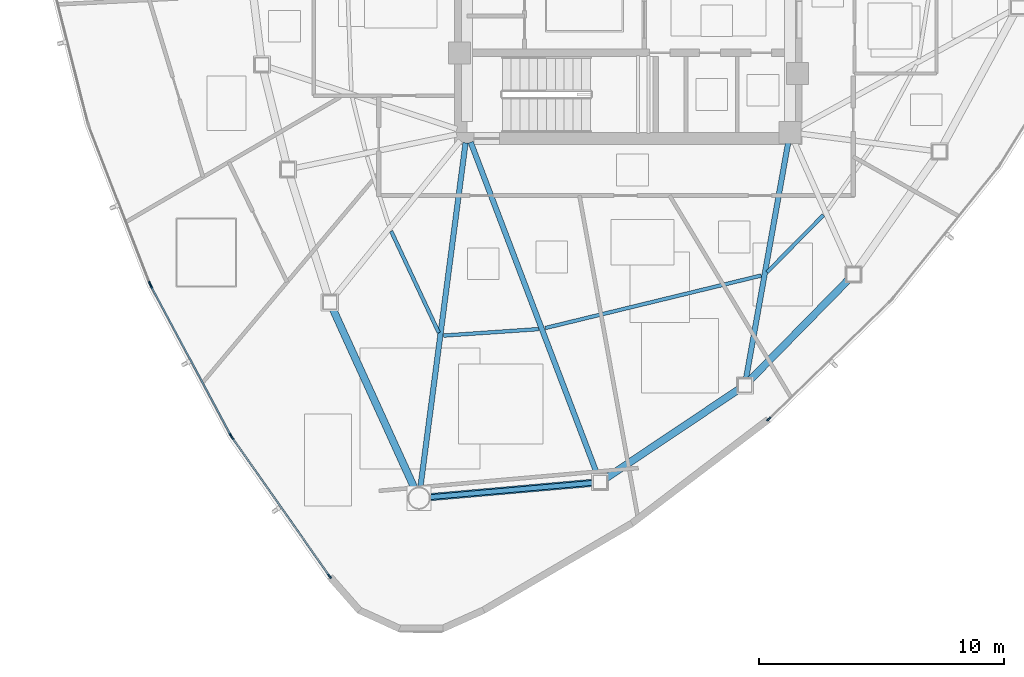
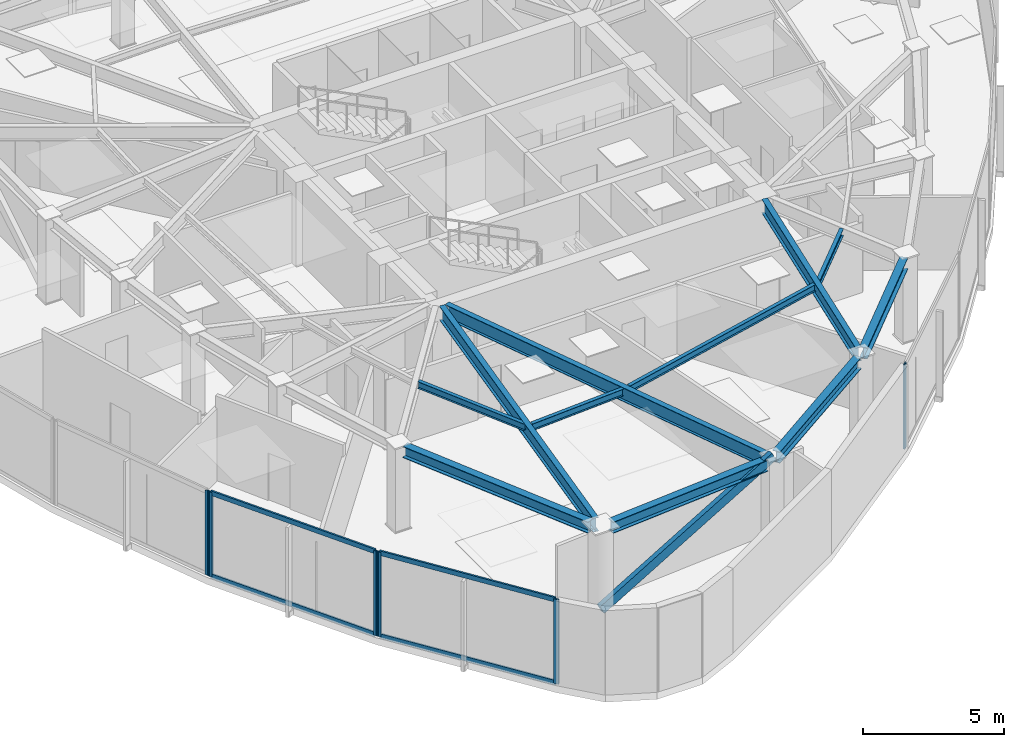
# One storey, part 2 of 13: 11 beams, 11 members, 4 elements without a shape of their own.
"""IFC4 building model written with IfcOpenShell, lengths in metres."""

from ifc_helpers import new_model, si_unit, direction, frame, origin, origin_2d, place, context, subcontext, project, spatial, hollow_rectangle, i_section, extrude, source, transform, mapped, material, layer, layer_set, material_profile, profile_set, type_object, type_shapes, element, aggregate, save


model = new_model("IFC4")

# Units and contexts
model_context = context("Model", 3, precision=1e-05, world=origin(), true_north=direction((0.0, 1.0)))
body_context = subcontext(model_context, "Body", "Model", "MODEL_VIEW")
ifc_project = project(units=[si_unit("LENGTHUNIT", "METRE"), si_unit("AREAUNIT", "SQUARE_METRE"), si_unit("VOLUMEUNIT", "CUBIC_METRE"), si_unit("PLANEANGLEUNIT", "RADIAN"), si_unit("MASSUNIT", "GRAM", prefix="KILO")], contexts=[model_context])

# Site, building, storey
site_placement = place(None, origin())
site = spatial("IfcSite", under=ifc_project, at=site_placement, CompositionType="ELEMENT")
building_placement = place(site_placement, origin())
building = spatial("IfcBuilding", under=site, at=building_placement, Name="Tavelor Broadcast Tower", CompositionType="ELEMENT")
storey_placement = place(building_placement, frame((0.0, 0.0, 241.89990234375)))
storey = spatial("IfcBuildingStorey", under=building, at=storey_placement, Name="L57", CompositionType="ELEMENT", Elevation=241.89990234375)

# Beams
ifc_material_1 = material(Name="Steel S355", Category="steel")
ifc_material_profile_1 = material_profile(ifc_material_1, i_section(OverallWidth=0.14990234375, OverallDepth=0.300048828125, WebThickness=0.007080078125, FlangeThickness=0.0107421875, at=origin_2d()), Name="IPE 300")
ifc_profile_set_1 = profile_set([ifc_material_profile_1], Name="Steel S355")
beam_type_1 = type_object("IfcBeamType", Name="Composite Floor Joist T5 IPE 300", PredefinedType="JOIST", material=ifc_profile_set_1)
beam_1_placement = place(storey_placement, frame((40.303466796875, 34.76123046875, 3.5), z_axis=(0.424747696097, -0.905311766553, 0.0), x_axis=(0.905311766553, 0.424747696097, 0.0)))
element("IfcBeam", 1, at=beam_1_placement, inside=storey, type_object=beam_type_1, Name="L57 Secondary Composite Floor Joist 06", PredefinedType="JOIST", context=body_context, shape_type="SweptSolid", body=[
    extrude(i_section(OverallWidth=0.14990234375, OverallDepth=0.300048828125, WebThickness=0.007080078125, FlangeThickness=0.0107421875, at=origin_2d()), origin(), (0.0, 0.0, 1.0), 4.583984375),
])
beam_2_placement = place(storey_placement, frame((42.44873046875, 30.49462890625, 3.5), z_axis=(0.997688348821, 0.067955563618, 0.0), x_axis=(-0.067955563618, 0.997688348821, 0.0)))
element("IfcBeam", 2, at=beam_2_placement, inside=storey, type_object=beam_type_1, Name="L57 Secondary Composite Floor Joist 07", PredefinedType="JOIST", context=body_context, shape_type="SweptSolid", body=[
    extrude(i_section(OverallWidth=0.14990234375, OverallDepth=0.300048828125, WebThickness=0.007080078125, FlangeThickness=0.0107421875, at=origin_2d()), origin(), (0.0, 0.0, 1.0), 3.880126953125),
])
beam_3_placement = place(storey_placement, frame((46.59423828125, 30.80078125, 3.5), z_axis=(0.971661934331, 0.236374883124, 0.0), x_axis=(-0.236374883124, 0.971661934331, 0.0)))
element("IfcBeam", 3, at=beam_3_placement, inside=storey, type_object=beam_type_1, Name="L57 Secondary Composite Floor Joist 08", PredefinedType="JOIST", context=body_context, shape_type="SweptSolid", body=[
    extrude(i_section(OverallWidth=0.14990234375, OverallDepth=0.300048828125, WebThickness=0.007080078125, FlangeThickness=0.0107421875, at=origin_2d()), origin(), (0.0, 0.0, 1.0), 9.089111328125),
])
beam_4_placement = place(storey_placement, frame((55.6591796875, 33.081298828125, 3.5), z_axis=(0.702295555333, 0.711885491465, 0.0), x_axis=(-0.711885491465, 0.702295555333, 0.0)))
element("IfcBeam", 4, at=beam_4_placement, inside=storey, type_object=beam_type_1, Name="L57 Secondary Composite Floor Joist 09", PredefinedType="JOIST", context=body_context, shape_type="SweptSolid", body=[
    extrude(i_section(OverallWidth=0.14990234375, OverallDepth=0.300048828125, WebThickness=0.007080078125, FlangeThickness=0.0107421875, at=origin_2d()), origin(), (0.0, 0.0, 1.0), 3.2841796875),
])
ifc_material_profile_2 = material_profile(ifc_material_1, i_section(OverallWidth=0.300048828125, OverallDepth=0.489990234375, WebThickness=0.011962890625, FlangeThickness=0.02294921875, at=origin_2d()), Name="HEA 500")
ifc_profile_set_2 = profile_set([ifc_material_profile_2], Name="Steel S355")
beam_type_2 = type_object("IfcBeamType", Name="Perimeter Spandrel Beam T5 HEA 500", PredefinedType="SPANDREL", material=ifc_profile_set_2)
beam_5_placement = place(storey_placement, frame((37.91650390625, 31.59130859375, 3.405029296875), z_axis=(0.414437010202, -0.910077999171, 0.0), x_axis=(0.910077999171, 0.414437010202, 0.0)))
element("IfcBeam", 5, at=beam_5_placement, inside=storey, type_object=beam_type_2, Name="L57 Framed-Tube Ring Spandrel 06", PredefinedType="SPANDREL", context=body_context, shape_type="SweptSolid", body=[
    extrude(i_section(OverallWidth=0.300048828125, OverallDepth=0.489990234375, WebThickness=0.011962890625, FlangeThickness=0.02294921875, at=origin_2d()), origin(), (0.0, 0.0, 1.0), 8.0634765625),
])
beam_6_placement = place(storey_placement, frame((41.877197265625, 23.89208984375, 3.405029296875), z_axis=(0.996152506101, 0.087636662361, 0.0), x_axis=(-0.087636662361, 0.996152506101, 0.0)))
element("IfcBeam", 6, at=beam_6_placement, inside=storey, type_object=beam_type_2, Name="L57 Framed-Tube Ring Spandrel 07", PredefinedType="SPANDREL", context=body_context, shape_type="SweptSolid", body=[
    extrude(i_section(OverallWidth=0.300048828125, OverallDepth=0.489990234375, WebThickness=0.011962890625, FlangeThickness=0.02294921875, at=origin_2d()), origin(), (0.0, 0.0, 1.0), 6.70556640625),
])
beam_7_placement = place(storey_placement, frame((49.083251953125, 24.665283203125, 3.405029296875), z_axis=(0.830979943124, 0.556302376523, 0.0), x_axis=(-0.556302376523, 0.830979943124, 0.0)))
element("IfcBeam", 7, at=beam_7_placement, inside=storey, type_object=beam_type_2, Name="L57 Framed-Tube Ring Spandrel 08", PredefinedType="SPANDREL", context=body_context, shape_type="SweptSolid", body=[
    extrude(i_section(OverallWidth=0.300048828125, OverallDepth=0.489990234375, WebThickness=0.011962890625, FlangeThickness=0.02294921875, at=origin_2d()), origin(), (0.0, 0.0, 1.0), 6.536376953125),
])
beam_8_placement = place(storey_placement, frame((54.955810546875, 28.667236328125, 3.405029296875), z_axis=(0.70018873327, 0.713957798334, 0.0), x_axis=(-0.713957798334, 0.70018873327, 0.0)))
element("IfcBeam", 8, at=beam_8_placement, inside=storey, type_object=beam_type_2, Name="L57 Framed-Tube Ring Spandrel 09", PredefinedType="SPANDREL", context=body_context, shape_type="SweptSolid", body=[
    extrude(i_section(OverallWidth=0.300048828125, OverallDepth=0.489990234375, WebThickness=0.011962890625, FlangeThickness=0.02294921875, at=origin_2d()), origin(), (0.0, 0.0, 1.0), 5.7626953125),
])

# Member
ifc_material_profile_3 = material_profile(ifc_material_1, hollow_rectangle(XDim=0.199951171875, YDim=0.39990234375, WallThickness=0.01611328125, at=origin_2d()), Name="RHS 400x200x16")
ifc_profile_set_3 = profile_set([ifc_material_profile_3], Name="Steel S355")
member_type_1 = type_object("IfcMemberType", Name="Perimeter Tube Brace T5 RHS 400x200x16", PredefinedType="BRACE", material=ifc_profile_set_3)
member_1_placement = place(storey_placement, frame((41.440185546875, 23.853759765625, 0.0), z_axis=(0.894143836839, 0.078634887979, 0.440821226162), x_axis=(-0.087606208465, 0.996155184817, 0.0)))
element("IfcMember", 9, at=member_1_placement, inside=storey, type_object=member_type_1, Name="L57 Corner Tube Diagonal Brace 2", PredefinedType="BRACE", context=body_context, shape_type="SweptSolid", body=[
    extrude(hollow_rectangle(XDim=0.199951171875, YDim=0.39990234375, WallThickness=0.01611328125, at=origin_2d()), origin(), (0.0, 0.0, 1.0), 8.2802734375),
])

# Beams
ifc_material_profile_4 = material_profile(ifc_material_1, i_section(OverallWidth=0.219970703125, OverallDepth=0.60009765625, WebThickness=0.011962890625, FlangeThickness=0.01904296875, at=origin_2d()), Name="IPE 600")
ifc_profile_set_4 = profile_set([ifc_material_profile_4], Name="Steel S355")
beam_type_3 = type_object("IfcBeamType", Name="Radial Floor Girder T5 IPE 600", PredefinedType="BEAM", material=ifc_profile_set_4)
beam_9_placement = place(storey_placement, frame((43.34375, 38.37158203125, 3.35009765625), z_axis=(-0.130000517012, -0.991513926063, 0.0), x_axis=(0.991513926063, -0.130000517012, 0.0)))
element("IfcBeam", 10, at=beam_9_placement, inside=storey, type_object=beam_type_3, Name="L57 Radial Primary Floor Girder 07", PredefinedType="BEAM", context=body_context, shape_type="SweptSolid", body=[
    extrude(i_section(OverallWidth=0.219970703125, OverallDepth=0.60009765625, WebThickness=0.011962890625, FlangeThickness=0.01904296875, at=origin_2d()), origin(), (0.0, 0.0, 1.0), 14.203369140625),
])
beam_10_placement = place(storey_placement, frame((43.5537109375, 38.396240234375, 3.35009765625), z_axis=(0.355898513414, -0.934524610778, 0.0), x_axis=(0.934524610778, 0.355898513414, 0.0)))
element("IfcBeam", 11, at=beam_10_placement, inside=storey, type_object=beam_type_3, Name="L57 Radial Primary Floor Girder 08", PredefinedType="BEAM", context=body_context, shape_type="SweptSolid", body=[
    extrude(i_section(OverallWidth=0.219970703125, OverallDepth=0.60009765625, WebThickness=0.011962890625, FlangeThickness=0.01904296875, at=origin_2d()), origin(), (0.0, 0.0, 1.0), 14.576416015625),
])
beam_11_placement = place(storey_placement, frame((56.524169921875, 38.374755859375, 3.35009765625), z_axis=(-0.175781136437, -0.984429272255, 0.0), x_axis=(0.984429272255, -0.175781136437, 0.0)))
element("IfcBeam", 12, at=beam_11_placement, inside=storey, type_object=beam_type_3, Name="L57 Radial Primary Floor Girder 09", PredefinedType="BEAM", context=body_context, shape_type="SweptSolid", body=[
    extrude(i_section(OverallWidth=0.219970703125, OverallDepth=0.60009765625, WebThickness=0.011962890625, FlangeThickness=0.01904296875, at=origin_2d()), origin(), (0.0, 0.0, 1.0), 9.781982421875),
])

# Curtain wall, member
ifc_material_2 = material(Name="Architectural Anodized Aluminium", Category="aluminium")
ifc_layer = layer(ifc_material_2, 0.199951171875)
ifc_layer_set = layer_set([ifc_layer], Name="Architectural Anodized Aluminium")
curtain_wall_type = type_object("IfcCurtainWallType", Name="Tower High-Zone Triple-Glazed Curtain Wall CW04", PredefinedType="NOTDEFINED", material=ifc_layer_set)
curtain_wall_1_placement = place(storey_placement, origin())
curtain_wall_1 = element("IfcCurtainWall", 13, at=curtain_wall_1_placement, inside=storey, type_object=curtain_wall_type, Name="L57 Curtain Wall CW04 Run 614", PredefinedType="NOTDEFINED")
ifc_material_profile_5 = material_profile(ifc_material_2, hollow_rectangle(XDim=0.070068359375, YDim=0.199951171875, WallThickness=0.02197265625, at=origin_2d()), Name="RHS 70x200x22")
ifc_profile_set_5 = profile_set([ifc_material_profile_5], Name="Architectural Anodized Aluminium")
member_type_2 = type_object("IfcMemberType", Name="CW04 Extruded Aluminium Mullion 70x200", PredefinedType="MULLION", material=ifc_profile_set_5)
shared_shape_1 = source(origin(), body_context, "Body", "SweptSolid", [
    extrude(hollow_rectangle(XDim=0.070068359375, YDim=0.199951171875, WallThickness=0.02197265625, at=origin_2d()), origin(), (0.0, 0.0, 1.0), 3.650146484375),
])
type_shapes(member_type_2, [shared_shape_1])
member_2_placement = place(storey_placement, frame((30.448486328125, 32.609375, 0.0), z_axis=(0.0, 0.0, 1.0), x_axis=(0.932476057505, 0.361231784566, 0.0)))
member_2 = element("IfcMember", 14, at=member_2_placement, type_object=member_type_2, Name="CW04 mullion 2", PredefinedType="MULLION", context=body_context, shape_type="MappedRepresentation", body=[
    mapped(shared_shape_1, transform((0.0, 0.0, 0.0), scale=1.0)),
])
aggregate(curtain_wall_1, [member_2])

# Curtain wall, members
curtain_wall_2_placement = place(storey_placement, origin())
curtain_wall_2 = element("IfcCurtainWall", 15, at=curtain_wall_2_placement, inside=storey, type_object=curtain_wall_type, Name="L57 Curtain Wall CW04 Run 615", PredefinedType="NOTDEFINED")
member_3_placement = place(storey_placement, frame((30.489990234375, 32.5185546875, 0.0), z_axis=(0.0, 0.0, 1.0), x_axis=(0.881919153429, 0.471400686057, 0.0)))
member_3 = element("IfcMember", 16, at=member_3_placement, type_object=member_type_2, Name="CW04 mullion 1", PredefinedType="MULLION", context=body_context, shape_type="MappedRepresentation", body=[
    mapped(shared_shape_1, transform((0.0, 0.0, 0.0), scale=1.0)),
])
member_4_placement = place(storey_placement, frame((33.750732421875, 26.418212890625, 0.0), z_axis=(0.0, 0.0, 1.0), x_axis=(0.881919153429, 0.471400686057, 0.0)))
member_4 = element("IfcMember", 17, at=member_4_placement, type_object=member_type_2, Name="CW04 mullion 2", PredefinedType="MULLION", context=body_context, shape_type="MappedRepresentation", body=[
    mapped(shared_shape_1, transform((0.0, 0.0, 0.0), scale=1.0)),
])

curtain_wall_3_placement = place(storey_placement, origin())
curtain_wall_3 = element("IfcCurtainWall", 18, at=curtain_wall_3_placement, inside=storey, type_object=curtain_wall_type, Name="L57 Curtain Wall CW04 Run 616", PredefinedType="NOTDEFINED")
member_5_placement = place(storey_placement, frame((33.80322265625, 26.333251953125, 0.0), z_axis=(0.0, 0.0, 1.0), x_axis=(0.818388448087, 0.574665422692, 0.0)))
member_5 = element("IfcMember", 19, at=member_5_placement, type_object=member_type_2, Name="CW04 mullion 1", PredefinedType="MULLION", context=body_context, shape_type="MappedRepresentation", body=[
    mapped(shared_shape_1, transform((0.0, 0.0, 0.0), scale=1.0)),
])
member_6_placement = place(storey_placement, frame((37.787353515625, 20.6591796875, 0.0), z_axis=(0.0, 0.0, 1.0), x_axis=(0.818388448087, 0.574665422692, 0.0)))
member_6 = element("IfcMember", 20, at=member_6_placement, type_object=member_type_2, Name="CW04 mullion 2", PredefinedType="MULLION", context=body_context, shape_type="MappedRepresentation", body=[
    mapped(shared_shape_1, transform((0.0, 0.0, 0.0), scale=1.0)),
])

# Curtain wall, member
curtain_wall_4_placement = place(storey_placement, origin())
curtain_wall_4 = element("IfcCurtainWall", 21, at=curtain_wall_4_placement, inside=storey, type_object=curtain_wall_type, Name="L57 Curtain Wall CW04 Run 617", PredefinedType="NOTDEFINED")
member_7_placement = place(storey_placement, frame((55.73486328125, 27.0830078125, 0.0), z_axis=(0.0, 0.0, 1.0), x_axis=(-0.69747352046, 0.716610555502, 0.0)))
member_7 = element("IfcMember", 22, at=member_7_placement, type_object=member_type_2, Name="CW04 mullion 1", PredefinedType="MULLION", context=body_context, shape_type="MappedRepresentation", body=[
    mapped(shared_shape_1, transform((0.0, 0.0, 0.0), scale=1.0)),
])
aggregate(curtain_wall_4, [member_7])

# Member
ifc_material_profile_6 = material_profile(ifc_material_2, hollow_rectangle(XDim=0.070068359375, YDim=0.199951171875, WallThickness=0.02197265625, at=origin_2d()), Name="RHS 70x200x22")
ifc_profile_set_6 = profile_set([ifc_material_profile_6], Name="Architectural Anodized Aluminium")
member_type_3 = type_object("IfcMemberType", Name="CW04 Extruded Aluminium Transom 70x200", PredefinedType="USERDEFINED", material=ifc_profile_set_6)
shared_shape_2 = source(origin(), body_context, "Body", "SweptSolid", [
    extrude(hollow_rectangle(XDim=0.070068359375, YDim=0.199951171875, WallThickness=0.02197265625, at=origin_2d()), origin(), (0.0, 0.0, 1.0), 6.847412109375),
])
member_8_placement = place(storey_placement, frame((30.506591796875, 32.48779296875, 0.03515625), z_axis=(0.471393049938, -0.881923235021, 0.0), x_axis=(0.881923235021, 0.471393049938, 0.0)))
member_8 = element("IfcMember", 23, at=member_8_placement, type_object=member_type_3, Name="CW04 transom 1.1", ObjectType="TRANSOM", PredefinedType="USERDEFINED", context=body_context, shape_type="MappedRepresentation", body=[
    mapped(shared_shape_2, transform((0.0, 0.0, 0.0), scale=1.0)),
])

member_9_placement = place(storey_placement, frame((30.506591796875, 32.48779296875, 3.614990234375), z_axis=(0.471393049938, -0.881923235021, 0.0), x_axis=(0.881923235021, 0.471393049938, 0.0)))
member_9 = element("IfcMember", 24, at=member_9_placement, type_object=member_type_3, Name="CW04 transom 1.2", ObjectType="TRANSOM", PredefinedType="USERDEFINED", context=body_context, shape_type="MappedRepresentation", body=[
    mapped(shared_shape_2, transform((0.0, 0.0, 0.0), scale=1.0)),
])

aggregate(curtain_wall_2, [member_3, member_4, member_8, member_9])

shared_shape_3 = source(origin(), body_context, "Body", "SweptSolid", [
    extrude(hollow_rectangle(XDim=0.070068359375, YDim=0.199951171875, WallThickness=0.02197265625, at=origin_2d()), origin(), (0.0, 0.0, 1.0), 6.86279296875),
])
type_shapes(member_type_3, [shared_shape_2, shared_shape_3])
member_10_placement = place(storey_placement, frame((33.8232421875, 26.304443359375, 0.03515625), z_axis=(0.574667429822, -0.818387038694, 0.0), x_axis=(0.818387038694, 0.574667429822, 0.0)))
member_10 = element("IfcMember", 25, at=member_10_placement, type_object=member_type_3, Name="CW04 transom 1.1", ObjectType="TRANSOM", PredefinedType="USERDEFINED", context=body_context, shape_type="MappedRepresentation", body=[
    mapped(shared_shape_3, transform((0.0, 0.0, 0.0), scale=1.0)),
])

member_11_placement = place(storey_placement, frame((33.8232421875, 26.304443359375, 3.614990234375), z_axis=(0.574667429822, -0.818387038694, 0.0), x_axis=(0.818387038694, 0.574667429822, 0.0)))
member_11 = element("IfcMember", 26, at=member_11_placement, type_object=member_type_3, Name="CW04 transom 1.2", ObjectType="TRANSOM", PredefinedType="USERDEFINED", context=body_context, shape_type="MappedRepresentation", body=[
    mapped(shared_shape_3, transform((0.0, 0.0, 0.0), scale=1.0)),
])

aggregate(curtain_wall_3, [member_5, member_6, member_10, member_11])

save(model, "model.ifc")
